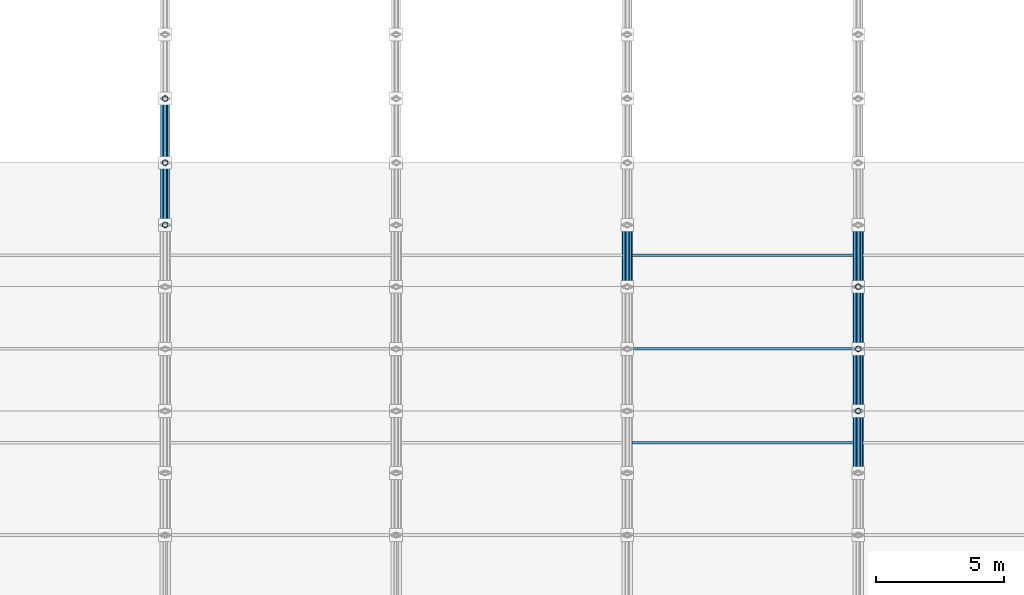
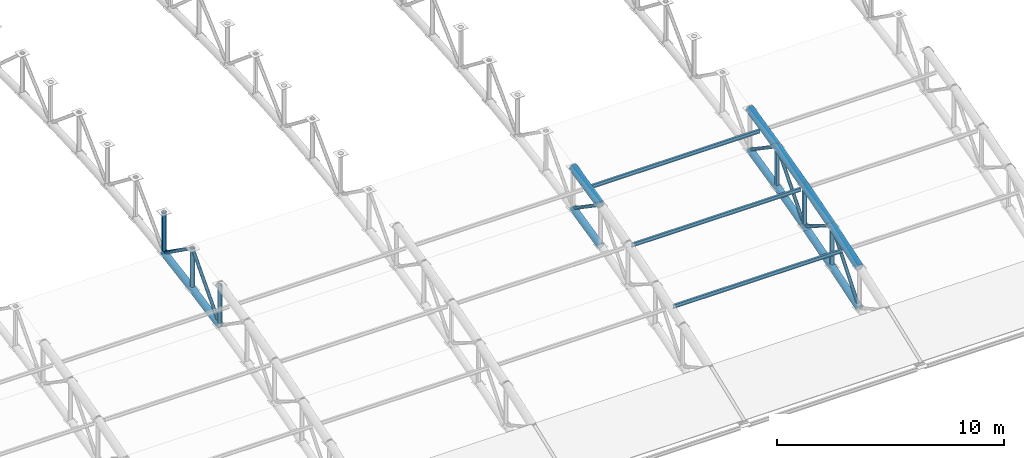
# One storey, part 19 of 195: 28 members.
"""IFC4 building model written with IfcOpenShell, lengths in metres."""

import ifcopenshell
import ifcopenshell.guid

model = None  # the IFC model being written
_history = None  # IfcOwnerHistory: only IFC2X3 demands one
_inside = {}  # id of a spatial element -> (the spatial element, [elements in it])
_under = {}  # id of a project, library or spatial element -> (it, [spatial elements below it])
_declared = {}  # id of a project -> (the project, [libraries it declares])
_typed = {}  # id of a type object -> (the type object, [elements of that type])
_made_of = {}  # id of a material, layer set ... -> (it, [elements and type objects made of it])


def new_model(schema):
    """Start an empty IFC model of exactly this schema.

    Asked for "IFC4X3", IfcOpenShell would pick the latest addendum, in which some entities
    have other attributes; the version numbers below select the first issue.
    IFC2X3 requires an IfcOwnerHistory on every rooted entity: one is made here for all.
    """
    global model, _history
    if schema == "IFC4X3":
        model = ifcopenshell.file(schema_version=(4, 3, 0, 0))
    else:
        model = ifcopenshell.file(schema=schema)
    _inside.clear()
    _under.clear()
    _declared.clear()
    _typed.clear()
    _made_of.clear()
    _history = None
    if model.schema == "IFC2X3":
        org = make("IfcOrganization", Name="unknown")
        user = make(
            "IfcPersonAndOrganization",
            ThePerson=make("IfcPerson", FamilyName="unknown"),
            TheOrganization=org,
        )
        app = make(
            "IfcApplication",
            ApplicationDeveloper=org,
            Version="unknown",
            ApplicationFullName="unknown",
            ApplicationIdentifier="unknown",
        )
        _history = make(
            "IfcOwnerHistory",
            OwningUser=user,
            OwningApplication=app,
            ChangeAction="ADDED",
            CreationDate=0,
        )
    return model


def make(cls, **values):
    """One entity of the class cls with the attributes given. An attribute that is None is left unset."""
    return model.create_entity(
        cls, **{name: value for name, value in values.items() if value is not None}
    )


def rooted(cls, **values):
    """An entity with a GlobalId (a new one), such as an element, a storey or a relation."""
    return make(cls, GlobalId=ifcopenshell.guid.new(), OwnerHistory=_history, **values)


def si_unit(unit_type, name, prefix=None):
    """IfcSIUnit, for example si_unit("LENGTHUNIT", "METRE", prefix="MILLI")."""
    return make("IfcSIUnit", UnitType=unit_type, Prefix=prefix, Name=name)


def assignment(units):
    """IfcUnitAssignment: the units of a project."""
    return None if units is None else make("IfcUnitAssignment", Units=units)


def point(xyz):
    """IfcCartesianPoint."""
    return None if xyz is None else make("IfcCartesianPoint", Coordinates=xyz)


def direction(xyz):
    """IfcDirection."""
    return None if xyz is None else make("IfcDirection", DirectionRatios=xyz)


def frame(location, z_axis=None, x_axis=None):
    """IfcAxis2Placement3D, a coordinate frame: its origin and axes. An axis left out is left unset."""
    return make(
        "IfcAxis2Placement3D",
        Location=point(location),
        Axis=direction(z_axis),
        RefDirection=direction(x_axis),
    )


def frame_2d(location, x_axis=None):
    """IfcAxis2Placement2D, a coordinate frame in the plane: its origin and x axis."""
    return make(
        "IfcAxis2Placement2D", Location=point(location), RefDirection=direction(x_axis)
    )


def origin():
    """The frame at (0, 0, 0) with its axes left unset."""
    return frame((0.0, 0.0, 0.0))


def origin_2d():
    """The frame at (0, 0) in the plane with its x axis left unset."""
    return frame_2d((0.0, 0.0))


def place(relative_to, where):
    """IfcLocalPlacement: puts the frame where relative to a parent placement (None: the world)."""
    return make(
        "IfcLocalPlacement", PlacementRelTo=relative_to, RelativePlacement=where
    )


def context(
    kind, dimensions, precision=None, world=None, true_north=None, identifier=None
):
    """IfcGeometricRepresentationContext, for example the 3D "Model" context."""
    return make(
        "IfcGeometricRepresentationContext",
        ContextIdentifier=identifier,
        ContextType=kind,
        CoordinateSpaceDimension=dimensions,
        Precision=precision,
        WorldCoordinateSystem=world,
        TrueNorth=true_north,
    )


def subcontext(parent, identifier, kind, view, scale=None):
    """IfcGeometricRepresentationSubContext, for example "Body" below "Model"."""
    return make(
        "IfcGeometricRepresentationSubContext",
        ContextIdentifier=identifier,
        ContextType=kind,
        ParentContext=parent,
        TargetScale=scale,
        TargetView=view,
    )


def project(units=None, contexts=None):
    """IfcProject with its units and contexts."""
    return rooted(
        "IfcProject",
        Name="project",
        RepresentationContexts=contexts,
        UnitsInContext=assignment(units),
    )


def spatial(cls, under=None, at=None, **own):
    """A site, building, storey or space (cls), placed at a placement, below another one or the project."""
    s = rooted(cls, ObjectPlacement=at, **own)
    if under is not None:
        _under.setdefault(under.id(), (under, []))[1].append(s)
    return s


def profile(cls, at=None, kind="AREA", **sizes):
    """A parametric profile (cls). Its sizes go by their IFC names, for example OverallWidth=200.0."""
    return make(cls, ProfileType=kind, Position=at, **sizes)


def hollow_circle(**sizes):
    """IfcCircleHollowProfileDef."""
    return profile("IfcCircleHollowProfileDef", **sizes)


def i_section(**sizes):
    """IfcIShapeProfileDef."""
    return profile("IfcIShapeProfileDef", **sizes)


def extrude(swept, where, along, depth):
    """IfcExtrudedAreaSolid: the profile swept, set in the frame where, extruded along a direction by depth."""
    return make(
        "IfcExtrudedAreaSolid",
        SweptArea=swept,
        Position=where,
        ExtrudedDirection=direction(along),
        Depth=depth,
    )


def shape(context_of_items, identifier, shape_type, items):
    """IfcShapeRepresentation: the items that make up one representation, for example the "Body"."""
    return make(
        "IfcShapeRepresentation",
        ContextOfItems=context_of_items,
        RepresentationIdentifier=identifier,
        RepresentationType=shape_type,
        Items=items,
    )


def material(Name=None, Category=None):
    """IfcMaterial."""
    return make("IfcMaterial", Name=Name, Category=Category)


def material_profile(
    of_material, cross_section, Name=None, Category=None, Priority=None
):
    """IfcMaterialProfile: a cross section and its material."""
    return make(
        "IfcMaterialProfile",
        Name=Name,
        Material=of_material,
        Profile=cross_section,
        Priority=Priority,
        Category=Category,
    )


def profile_set(profiles, Name=None, composite=None):
    """IfcMaterialProfileSet."""
    return make(
        "IfcMaterialProfileSet",
        Name=Name,
        MaterialProfiles=profiles,
        CompositeProfile=composite,
    )


def made_of(thing, what):
    """Note that an element or type object is made of a material, layer set ...; save() writes the relation."""
    if what is not None:
        _made_of.setdefault(what.id(), (what, []))[1].append(thing)
    return thing


def type_object(cls, material=None, **own):
    """A type object (cls), such as IfcWallType, which elements share."""
    return made_of(rooted(cls, **own), material)


def element(
    cls,
    number,
    at=None,
    inside=None,
    cuts=None,
    type_object=None,
    material=None,
    context=None,
    identifier="Body",
    shape_type=None,
    held_by="IfcProductDefinitionShape",
    body=None,
    shapes=None,
    **own,
):
    """One element of the class cls, such as IfcWall. Its Tag is "e" and its number.

    at: its placement. inside: the storey or other place that contains it. cuts: it is an
    opening in that element (IfcRelVoidsElement). A single representation is given by context,
    identifier, shape_type and body (its items); several are given by shapes. held_by: the class
    of the entity that holds the representations. save() writes the other relations.
    """
    e = rooted(cls, Tag="e%d" % number, ObjectPlacement=at, **own)
    if body is not None:
        shapes = [shape(context, identifier, shape_type, body)]
    if shapes is not None:
        e.Representation = make(held_by, Representations=shapes)
    if inside is not None:
        _inside.setdefault(inside.id(), (inside, []))[1].append(e)
    if cuts is not None:
        rooted(
            "IfcRelVoidsElement", RelatingBuildingElement=cuts, RelatedOpeningElement=e
        )
    if type_object is not None:
        _typed.setdefault(type_object.id(), (type_object, []))[1].append(e)
    return made_of(e, material)


def aggregate(whole, parts):
    """IfcRelAggregates: a whole, such as a stair, and the parts it consists of."""
    return rooted("IfcRelAggregates", RelatingObject=whole, RelatedObjects=parts)


def save(model, path):
    """Write the relations noted so far, then the file.

    IfcRelAggregates (storeys below a building ...), IfcRelContainedInSpatialStructure (elements
    in a storey), IfcRelDefinesByType, IfcRelAssociatesMaterial and IfcRelDeclares: one each for
    every whole, place, type object, material and project.
    """
    for whole, parts in _under.values():
        aggregate(whole, parts)
    for where, things in _inside.values():
        rooted(
            "IfcRelContainedInSpatialStructure",
            RelatedElements=things,
            RelatingStructure=where,
        )
    for kind, things in _typed.values():
        rooted("IfcRelDefinesByType", RelatedObjects=things, RelatingType=kind)
    for what, things in _made_of.values():
        rooted("IfcRelAssociatesMaterial", RelatedObjects=things, RelatingMaterial=what)
    for by, libraries in _declared.values():
        rooted("IfcRelDeclares", RelatingContext=by, RelatedDefinitions=libraries)
    model.write(path)


model = new_model("IFC4")

# Units and contexts
model_context = context("Model", 3, precision=1e-05, world=origin(), true_north=direction((0.0, 1.0)))
body_context = subcontext(model_context, "Body", "Model", "MODEL_VIEW")
ifc_project = project(units=[si_unit("LENGTHUNIT", "METRE"), si_unit("AREAUNIT", "SQUARE_METRE"), si_unit("VOLUMEUNIT", "CUBIC_METRE"), si_unit("PLANEANGLEUNIT", "RADIAN"), si_unit("MASSUNIT", "GRAM", prefix="KILO")], contexts=[model_context])

# Site, building, storey
site_placement = place(None, origin())
site = spatial("IfcSite", under=ifc_project, at=site_placement, CompositionType="ELEMENT")
building_placement = place(site_placement, origin())
building = spatial("IfcBuilding", under=site, at=building_placement, Name="Marlcrest Central Station", CompositionType="ELEMENT")
storey_placement = place(building_placement, frame((0.0, 0.0, 9.800048828125)))
storey = spatial("IfcBuildingStorey", under=building, at=storey_placement, Name="L02", CompositionType="ELEMENT", Elevation=9.800048828125)

# Members
ifc_material = material(Name="Steel S355", Category="steel")
ifc_material_profile_1 = material_profile(ifc_material, hollow_circle(Radius=0.203125, WallThickness=0.02001953125, at=origin_2d()), Name="CHS 406.4x20")
ifc_profile_set_1 = profile_set([ifc_material_profile_1], Name="Steel S355")
member_type_1 = type_object("IfcMemberType", Name="AC-01", PredefinedType="CHORD", material=ifc_profile_set_1)
member_1_placement = place(storey_placement, frame((54.0, 46.169921875, 4.56005859375), z_axis=(0.0, 0.974329612642, 0.225126200004), x_axis=(-1.0, 0.0, 0.0)))
element("IfcMember", 1, at=member_1_placement, inside=storey, type_object=member_type_1, Name="mem-AC-01-L02-00775", PredefinedType="CHORD", context=body_context, shape_type="SweptSolid", body=[
    extrude(hollow_circle(Radius=0.203125, WallThickness=0.02001953125, at=origin_2d()), origin(), (0.0, 0.0, 1.0), 2.4736328125),
])
member_2_placement = place(storey_placement, frame((63.0, 38.919921875, 2.449462890625), z_axis=(0.0, 0.952116828449, 0.305734435391), x_axis=(-1.0, 0.0, 0.0)))
element("IfcMember", 2, at=member_2_placement, inside=storey, type_object=member_type_1, Name="mem-AC-01-L02-00879", PredefinedType="CHORD", context=body_context, shape_type="SweptSolid", body=[
    extrude(hollow_circle(Radius=0.203125, WallThickness=0.02001953125, at=origin_2d()), origin(), (0.0, 0.0, 1.0), 2.53125),
])
member_3_placement = place(storey_placement, frame((63.0, 41.330078125, 3.223388671875), z_axis=(0.0, 0.960130083362, 0.27955361386), x_axis=(-1.0, 0.0, 0.0)))
element("IfcMember", 3, at=member_3_placement, inside=storey, type_object=member_type_1, Name="mem-AC-01-L02-00883", PredefinedType="CHORD", context=body_context, shape_type="SweptSolid", body=[
    extrude(hollow_circle(Radius=0.203125, WallThickness=0.02001953125, at=origin_2d()), origin(), (0.0, 0.0, 1.0), 2.5205078125),
])
member_4_placement = place(storey_placement, frame((63.0, 43.75, 3.927978515625), z_axis=(0.0, 0.967539481681, 0.252719906989), x_axis=(-1.0, 0.0, 0.0)))
element("IfcMember", 4, at=member_4_placement, inside=storey, type_object=member_type_1, Name="mem-AC-01-L02-00887", PredefinedType="CHORD", context=body_context, shape_type="SweptSolid", body=[
    extrude(hollow_circle(Radius=0.203125, WallThickness=0.02001953125, at=origin_2d()), origin(), (0.0, 0.0, 1.0), 2.501220703125),
])
member_5_placement = place(storey_placement, frame((63.0, 46.169921875, 4.56005859375), z_axis=(0.0, 0.974329612642, 0.225126200004), x_axis=(-1.0, 0.0, 0.0)))
element("IfcMember", 5, at=member_5_placement, inside=storey, type_object=member_type_1, Name="mem-AC-01-L02-00891", PredefinedType="CHORD", context=body_context, shape_type="SweptSolid", body=[
    extrude(hollow_circle(Radius=0.203125, WallThickness=0.02001953125, at=origin_2d()), origin(), (0.0, 0.0, 1.0), 2.4736328125),
])
ifc_material_profile_2 = material_profile(ifc_material, hollow_circle(Radius=0.177734375, WallThickness=0.01611328125, at=origin_2d()), Name="CHS 355.6x16")
ifc_profile_set_2 = profile_set([ifc_material_profile_2], Name="Steel S355")
member_type_2 = type_object("IfcMemberType", Name="AC-02", PredefinedType="CHORD", material=ifc_profile_set_2)
member_6_placement = place(storey_placement, frame((36.0, 48.580078125, 2.9169921875), z_axis=(0.0, 0.980359417961, 0.197219196874), x_axis=(-1.0, 0.0, 0.0)))
element("IfcMember", 6, at=member_6_placement, inside=storey, type_object=member_type_2, Name="mem-AC-02-L02-00548", PredefinedType="CHORD", context=body_context, shape_type="SweptSolid", body=[
    extrude(hollow_circle(Radius=0.177734375, WallThickness=0.01611328125, at=origin_2d()), origin(), (0.0, 0.0, 1.0), 2.468505859375),
])
member_7_placement = place(storey_placement, frame((36.0, 51.0, 3.40380859375), z_axis=(0.0, 0.98574109921, 0.168269086076), x_axis=(-1.0, 0.0, 0.0)))
element("IfcMember", 7, at=member_7_placement, inside=storey, type_object=member_type_2, Name="mem-AC-02-L02-00552", PredefinedType="CHORD", context=body_context, shape_type="SweptSolid", body=[
    extrude(hollow_circle(Radius=0.177734375, WallThickness=0.01611328125, at=origin_2d()), origin(), (0.0, 0.0, 1.0), 2.5361328125),
])
member_8_placement = place(storey_placement, frame((54.0, 46.169921875, 2.35986328125), z_axis=(0.0, 0.974307959875, 0.225219891049), x_axis=(-1.0, 0.0, 0.0)))
element("IfcMember", 8, at=member_8_placement, inside=storey, type_object=member_type_2, Name="mem-AC-02-L02-00776", PredefinedType="CHORD", context=body_context, shape_type="SweptSolid", body=[
    extrude(hollow_circle(Radius=0.177734375, WallThickness=0.01611328125, at=origin_2d()), origin(), (0.0, 0.0, 1.0), 2.4736328125),
])
member_9_placement = place(storey_placement, frame((63.0, 38.919921875, 0.24951171875), z_axis=(0.0, 0.952116828449, 0.305734435391), x_axis=(-1.0, 0.0, 0.0)))
element("IfcMember", 9, at=member_9_placement, inside=storey, type_object=member_type_2, Name="mem-AC-02-L02-00880", PredefinedType="CHORD", context=body_context, shape_type="SweptSolid", body=[
    extrude(hollow_circle(Radius=0.177734375, WallThickness=0.01611328125, at=origin_2d()), origin(), (0.0, 0.0, 1.0), 2.53125),
])
member_10_placement = place(storey_placement, frame((63.0, 41.330078125, 1.0234375), z_axis=(0.0, 0.960130083362, 0.27955361386), x_axis=(-1.0, 0.0, 0.0)))
element("IfcMember", 10, at=member_10_placement, inside=storey, type_object=member_type_2, Name="mem-AC-02-L02-00884", PredefinedType="CHORD", context=body_context, shape_type="SweptSolid", body=[
    extrude(hollow_circle(Radius=0.177734375, WallThickness=0.01611328125, at=origin_2d()), origin(), (0.0, 0.0, 1.0), 2.5205078125),
])
member_11_placement = place(storey_placement, frame((63.0, 43.75, 1.72802734375), z_axis=(0.0, 0.967563345928, 0.252628524946), x_axis=(-1.0, 0.0, 0.0)))
element("IfcMember", 11, at=member_11_placement, inside=storey, type_object=member_type_2, Name="mem-AC-02-L02-00888", PredefinedType="CHORD", context=body_context, shape_type="SweptSolid", body=[
    extrude(hollow_circle(Radius=0.177734375, WallThickness=0.01611328125, at=origin_2d()), origin(), (0.0, 0.0, 1.0), 2.5009765625),
])
member_12_placement = place(storey_placement, frame((63.0, 46.169921875, 2.35986328125), z_axis=(0.0, 0.974307959875, 0.225219891049), x_axis=(-1.0, 0.0, 0.0)))
element("IfcMember", 12, at=member_12_placement, inside=storey, type_object=member_type_2, Name="mem-AC-02-L02-00892", PredefinedType="CHORD", context=body_context, shape_type="SweptSolid", body=[
    extrude(hollow_circle(Radius=0.177734375, WallThickness=0.01611328125, at=origin_2d()), origin(), (0.0, 0.0, 1.0), 2.4736328125),
])
ifc_material_profile_3 = material_profile(ifc_material, hollow_circle(Radius=0.084228515625, WallThickness=0.010009765625, at=origin_2d()), Name="CHS 168.3x10")
ifc_profile_set_3 = profile_set([ifc_material_profile_3], Name="Steel S355")
member_type_3 = type_object("IfcMemberType", Name="AD-01", PredefinedType="BRACE", material=ifc_profile_set_3)
member_13_placement = place(storey_placement, frame((36.0, 48.580078125, 2.9169921875), z_axis=(0.0, 0.669244457479, 0.743042297675), x_axis=(-1.0, 0.0, 0.0)))
element("IfcMember", 13, at=member_13_placement, inside=storey, type_object=member_type_3, Name="mem-AD-01-L02-00550", PredefinedType="BRACE", context=body_context, shape_type="SweptSolid", body=[
    extrude(hollow_circle(Radius=0.084228515625, WallThickness=0.010009765625, at=origin_2d()), origin(), (0.0, 0.0, 1.0), 3.615966796875),
])
member_14_placement = place(storey_placement, frame((36.0, 51.0, 5.603759765625), z_axis=(0.0, 0.815661132754, -0.57852996164), x_axis=(-1.0, 0.0, 0.0)))
element("IfcMember", 14, at=member_14_placement, inside=storey, type_object=member_type_3, Name="mem-AD-01-L02-00554", PredefinedType="BRACE", context=body_context, shape_type="SweptSolid", body=[
    extrude(hollow_circle(Radius=0.084228515625, WallThickness=0.010009765625, at=origin_2d()), origin(), (0.0, 0.0, 1.0), 3.06494140625),
])
member_15_placement = place(storey_placement, frame((54.0, 46.169921875, 4.56005859375), z_axis=(0.0, 0.82626275624, -0.563284881432), x_axis=(-1.0, 0.0, 0.0)))
element("IfcMember", 15, at=member_15_placement, inside=storey, type_object=member_type_3, Name="mem-AD-01-L02-00778", PredefinedType="BRACE", context=body_context, shape_type="SweptSolid", body=[
    extrude(hollow_circle(Radius=0.084228515625, WallThickness=0.010009765625, at=origin_2d()), origin(), (0.0, 0.0, 1.0), 2.9169921875),
])
member_16_placement = place(storey_placement, frame((63.0, 38.919921875, 0.24951171875), z_axis=(0.0, 0.62962929743, 0.776895712318), x_axis=(-1.0, 0.0, 0.0)))
element("IfcMember", 16, at=member_16_placement, inside=storey, type_object=member_type_3, Name="mem-AD-01-L02-00882", PredefinedType="BRACE", context=body_context, shape_type="SweptSolid", body=[
    extrude(hollow_circle(Radius=0.084228515625, WallThickness=0.010009765625, at=origin_2d()), origin(), (0.0, 0.0, 1.0), 3.827880859375),
])
member_17_placement = place(storey_placement, frame((63.0, 41.330078125, 3.223388671875), z_axis=(0.0, 0.850687380038, -0.525671933286), x_axis=(-1.0, 0.0, 0.0)))
element("IfcMember", 17, at=member_17_placement, inside=storey, type_object=member_type_3, Name="mem-AD-01-L02-00886", PredefinedType="BRACE", context=body_context, shape_type="SweptSolid", body=[
    extrude(hollow_circle(Radius=0.084228515625, WallThickness=0.010009765625, at=origin_2d()), origin(), (0.0, 0.0, 1.0), 2.8447265625),
])
member_18_placement = place(storey_placement, frame((63.0, 43.75, 1.72802734375), z_axis=(0.0, 0.649624779144, 0.760254987699), x_axis=(-1.0, 0.0, 0.0)))
element("IfcMember", 18, at=member_18_placement, inside=storey, type_object=member_type_3, Name="mem-AD-01-L02-00890", PredefinedType="BRACE", context=body_context, shape_type="SweptSolid", body=[
    extrude(hollow_circle(Radius=0.084228515625, WallThickness=0.010009765625, at=origin_2d()), origin(), (0.0, 0.0, 1.0), 3.72509765625),
])
member_19_placement = place(storey_placement, frame((63.0, 46.169921875, 4.56005859375), z_axis=(0.0, 0.82626275624, -0.563284881432), x_axis=(-1.0, 0.0, 0.0)))
element("IfcMember", 19, at=member_19_placement, inside=storey, type_object=member_type_3, Name="mem-AD-01-L02-00894", PredefinedType="BRACE", context=body_context, shape_type="SweptSolid", body=[
    extrude(hollow_circle(Radius=0.084228515625, WallThickness=0.010009765625, at=origin_2d()), origin(), (0.0, 0.0, 1.0), 2.9169921875),
])
ifc_material_profile_4 = material_profile(ifc_material, hollow_circle(Radius=0.109619140625, WallThickness=0.012451171875, at=origin_2d()), Name="CHS 219.1x12.5")
ifc_profile_set_4 = profile_set([ifc_material_profile_4], Name="Steel S355")
member_type_4 = type_object("IfcMemberType", Name="AP-01", PredefinedType="POST", material=ifc_profile_set_4)
for number, where, z_axis, x_axis, name in (
    (20, (36.0, 48.580078125, 2.9169921875), (0.0, 0.0, 1.0), (1.0, 0.0, 0.0), "mem-AP-01-L02-00549"),
    (21, (36.0, 51.0, 3.40380859375), (0.0, 0.0, 1.0), (1.0, 0.0, 0.0), "mem-AP-01-L02-00553"),
    (22, (36.0, 53.5, 3.83056640625), (0.0, 0.0, 1.0), (1.0, 0.0, 0.0), "mem-AP-01-L02-00557"),
    (23, (63.0, 41.330078125, 1.0234375), (0.0, 0.0, 1.0), (1.0, 0.0, 0.0), "mem-AP-01-L02-00885"),
    (24, (63.0, 43.75, 1.72802734375), (0.0, 0.0, 1.0), (1.0, 0.0, 0.0), "mem-AP-01-L02-00889"),
):
    element("IfcMember", number, at=place(storey_placement, frame(where, z_axis=z_axis, x_axis=x_axis)), inside=storey, type_object=member_type_4, Name=name, PredefinedType="POST", context=body_context, shape_type="SweptSolid", body=[
        extrude(hollow_circle(Radius=0.109619140625, WallThickness=0.012451171875, at=origin_2d()), origin(), (0.0, 0.0, 1.0), 2.199951171875),
    ])
member_20_placement = place(storey_placement, frame((63.0, 46.169921875, 2.35986328125), z_axis=(0.0, 0.0, 1.0), x_axis=(1.0, 0.0, 0.0)))
element("IfcMember", 25, at=member_20_placement, inside=storey, type_object=member_type_4, Name="mem-AP-01-L02-00893", PredefinedType="POST", context=body_context, shape_type="SweptSolid", body=[
    extrude(hollow_circle(Radius=0.109619140625, WallThickness=0.012451171875, at=origin_2d()), origin(), (0.0, 0.0, 1.0), 2.2001953125),
])
ifc_material_profile_5 = material_profile(ifc_material, i_section(OverallWidth=0.10009765625, OverallDepth=0.199951171875, WebThickness=0.005615234375, FlangeThickness=0.008544921875, FilletRadius=0.011962890625, at=origin_2d()), Name="IPE 200")
ifc_profile_set_5 = profile_set([ifc_material_profile_5], Name="Steel S355")
member_type_5 = type_object("IfcMemberType", Name="PR-01", PredefinedType="PURLIN", material=ifc_profile_set_5)
for number, where, z_axis, x_axis, name in (
    (26, (54.179931640625, 40.10009765625, 2.697509765625), (1.0, 0.0, 0.0), (0.0, 1.0, 0.0), "mem-PR-01-L02-00860"),
    (27, (54.179931640625, 43.75, 3.7880859375), (1.0, 0.0, 0.0), (0.0, 1.0, 0.0), "mem-PR-01-L02-00861"),
    (28, (54.179931640625, 47.39990234375, 4.713134765625), (1.0, 0.0, 0.0), (0.0, 1.0, 0.0), "mem-PR-01-L02-00862"),
):
    element("IfcMember", number, at=place(storey_placement, frame(where, z_axis=z_axis, x_axis=x_axis)), inside=storey, type_object=member_type_5, Name=name, PredefinedType="PURLIN", context=body_context, shape_type="SweptSolid", body=[
        extrude(i_section(OverallWidth=0.10009765625, OverallDepth=0.199951171875, WebThickness=0.005615234375, FlangeThickness=0.008544921875, FilletRadius=0.011962890625, at=origin_2d()), origin(), (0.0, 0.0, 1.0), 8.64013671875),
    ])

save(model, "model.ifc")
